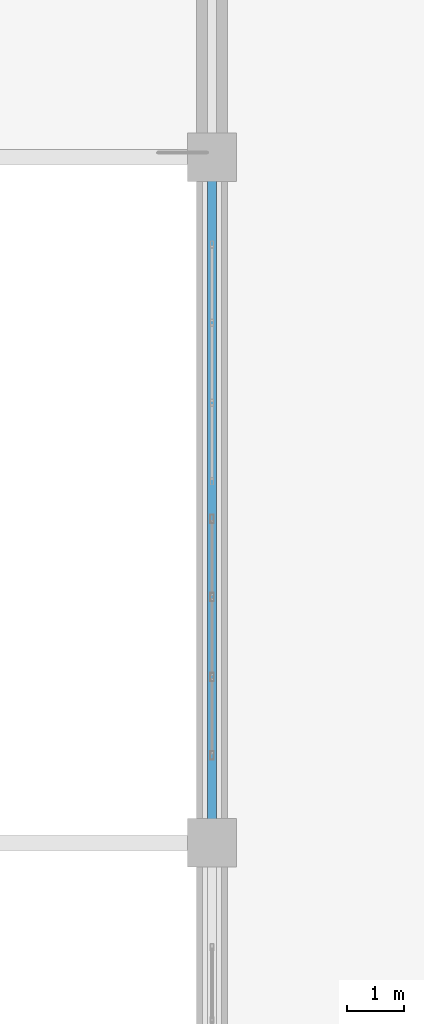
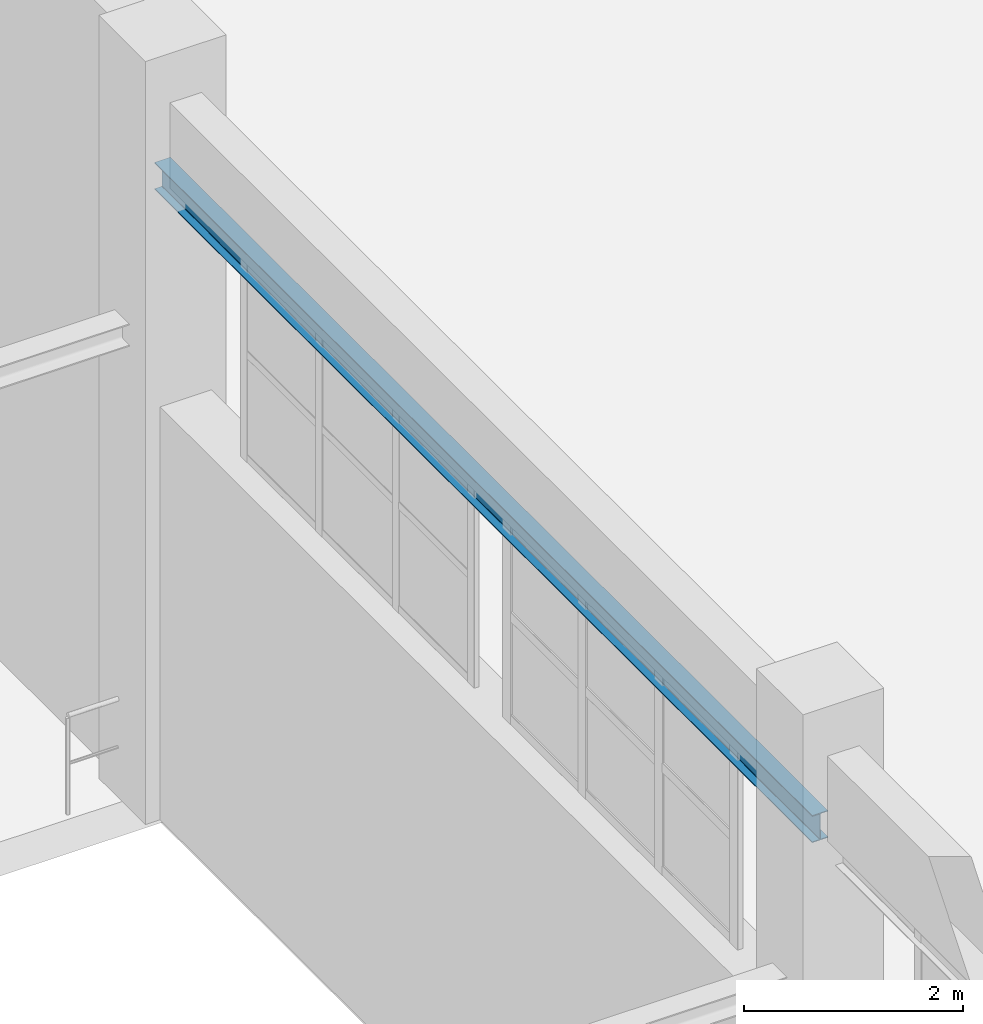
# One storey, part 42 of 97: 1 beam.
"""IFC4 building model written with IfcOpenShell, lengths in metres."""

import ifcopenshell
import ifcopenshell.guid

model = None  # the IFC model being written
_history = None  # IfcOwnerHistory: only IFC2X3 demands one
_inside = {}  # id of a spatial element -> (the spatial element, [elements in it])
_under = {}  # id of a project, library or spatial element -> (it, [spatial elements below it])
_declared = {}  # id of a project -> (the project, [libraries it declares])
_typed = {}  # id of a type object -> (the type object, [elements of that type])
_made_of = {}  # id of a material, layer set ... -> (it, [elements and type objects made of it])


def new_model(schema):
    """Start an empty IFC model of exactly this schema.

    Asked for "IFC4X3", IfcOpenShell would pick the latest addendum, in which some entities
    have other attributes; the version numbers below select the first issue.
    IFC2X3 requires an IfcOwnerHistory on every rooted entity: one is made here for all.
    """
    global model, _history
    if schema == "IFC4X3":
        model = ifcopenshell.file(schema_version=(4, 3, 0, 0))
    else:
        model = ifcopenshell.file(schema=schema)
    _inside.clear()
    _under.clear()
    _declared.clear()
    _typed.clear()
    _made_of.clear()
    _history = None
    if model.schema == "IFC2X3":
        org = make("IfcOrganization", Name="unknown")
        user = make(
            "IfcPersonAndOrganization",
            ThePerson=make("IfcPerson", FamilyName="unknown"),
            TheOrganization=org,
        )
        app = make(
            "IfcApplication",
            ApplicationDeveloper=org,
            Version="unknown",
            ApplicationFullName="unknown",
            ApplicationIdentifier="unknown",
        )
        _history = make(
            "IfcOwnerHistory",
            OwningUser=user,
            OwningApplication=app,
            ChangeAction="ADDED",
            CreationDate=0,
        )
    return model


def make(cls, **values):
    """One entity of the class cls with the attributes given. An attribute that is None is left unset."""
    return model.create_entity(
        cls, **{name: value for name, value in values.items() if value is not None}
    )


def rooted(cls, **values):
    """An entity with a GlobalId (a new one), such as an element, a storey or a relation."""
    return make(cls, GlobalId=ifcopenshell.guid.new(), OwnerHistory=_history, **values)


def si_unit(unit_type, name, prefix=None):
    """IfcSIUnit, for example si_unit("LENGTHUNIT", "METRE", prefix="MILLI")."""
    return make("IfcSIUnit", UnitType=unit_type, Prefix=prefix, Name=name)


def derived_unit(unit_type, elements):
    """IfcDerivedUnit: a product of units, each with its exponent."""
    return make(
        "IfcDerivedUnit",
        Elements=[
            make("IfcDerivedUnitElement", Unit=unit, Exponent=power)
            for unit, power in elements
        ],
        UnitType=unit_type,
    )


def assignment(units):
    """IfcUnitAssignment: the units of a project."""
    return None if units is None else make("IfcUnitAssignment", Units=units)


def point(xyz):
    """IfcCartesianPoint."""
    return None if xyz is None else make("IfcCartesianPoint", Coordinates=xyz)


def direction(xyz):
    """IfcDirection."""
    return None if xyz is None else make("IfcDirection", DirectionRatios=xyz)


def frame(location, z_axis=None, x_axis=None):
    """IfcAxis2Placement3D, a coordinate frame: its origin and axes. An axis left out is left unset."""
    return make(
        "IfcAxis2Placement3D",
        Location=point(location),
        Axis=direction(z_axis),
        RefDirection=direction(x_axis),
    )


def frame_2d(location, x_axis=None):
    """IfcAxis2Placement2D, a coordinate frame in the plane: its origin and x axis."""
    return make(
        "IfcAxis2Placement2D", Location=point(location), RefDirection=direction(x_axis)
    )


def origin():
    """The frame at (0, 0, 0) with its axes left unset."""
    return frame((0.0, 0.0, 0.0))


def origin_2d():
    """The frame at (0, 0) in the plane with its x axis left unset."""
    return frame_2d((0.0, 0.0))


def place(relative_to, where):
    """IfcLocalPlacement: puts the frame where relative to a parent placement (None: the world)."""
    return make(
        "IfcLocalPlacement", PlacementRelTo=relative_to, RelativePlacement=where
    )


def context(
    kind, dimensions, precision=None, world=None, true_north=None, identifier=None
):
    """IfcGeometricRepresentationContext, for example the 3D "Model" context."""
    return make(
        "IfcGeometricRepresentationContext",
        ContextIdentifier=identifier,
        ContextType=kind,
        CoordinateSpaceDimension=dimensions,
        Precision=precision,
        WorldCoordinateSystem=world,
        TrueNorth=true_north,
    )


def subcontext(parent, identifier, kind, view, scale=None):
    """IfcGeometricRepresentationSubContext, for example "Body" below "Model"."""
    return make(
        "IfcGeometricRepresentationSubContext",
        ContextIdentifier=identifier,
        ContextType=kind,
        ParentContext=parent,
        TargetScale=scale,
        TargetView=view,
    )


def project(units=None, contexts=None):
    """IfcProject with its units and contexts."""
    return rooted(
        "IfcProject",
        Name="project",
        RepresentationContexts=contexts,
        UnitsInContext=assignment(units),
    )


def spatial(cls, under=None, at=None, **own):
    """A site, building, storey or space (cls), placed at a placement, below another one or the project."""
    s = rooted(cls, ObjectPlacement=at, **own)
    if under is not None:
        _under.setdefault(under.id(), (under, []))[1].append(s)
    return s


def profile(cls, at=None, kind="AREA", **sizes):
    """A parametric profile (cls). Its sizes go by their IFC names, for example OverallWidth=200.0."""
    return make(cls, ProfileType=kind, Position=at, **sizes)


def i_section(**sizes):
    """IfcIShapeProfileDef."""
    return profile("IfcIShapeProfileDef", **sizes)


def extrude(swept, where, along, depth):
    """IfcExtrudedAreaSolid: the profile swept, set in the frame where, extruded along a direction by depth."""
    return make(
        "IfcExtrudedAreaSolid",
        SweptArea=swept,
        Position=where,
        ExtrudedDirection=direction(along),
        Depth=depth,
    )


def shape(context_of_items, identifier, shape_type, items):
    """IfcShapeRepresentation: the items that make up one representation, for example the "Body"."""
    return make(
        "IfcShapeRepresentation",
        ContextOfItems=context_of_items,
        RepresentationIdentifier=identifier,
        RepresentationType=shape_type,
        Items=items,
    )


def material(Name=None, Category=None):
    """IfcMaterial."""
    return make("IfcMaterial", Name=Name, Category=Category)


def material_profile(
    of_material, cross_section, Name=None, Category=None, Priority=None
):
    """IfcMaterialProfile: a cross section and its material."""
    return make(
        "IfcMaterialProfile",
        Name=Name,
        Material=of_material,
        Profile=cross_section,
        Priority=Priority,
        Category=Category,
    )


def profile_set(profiles, Name=None, composite=None):
    """IfcMaterialProfileSet."""
    return make(
        "IfcMaterialProfileSet",
        Name=Name,
        MaterialProfiles=profiles,
        CompositeProfile=composite,
    )


def made_of(thing, what):
    """Note that an element or type object is made of a material, layer set ...; save() writes the relation."""
    if what is not None:
        _made_of.setdefault(what.id(), (what, []))[1].append(thing)
    return thing


def type_object(cls, material=None, **own):
    """A type object (cls), such as IfcWallType, which elements share."""
    return made_of(rooted(cls, **own), material)


def element(
    cls,
    number,
    at=None,
    inside=None,
    cuts=None,
    type_object=None,
    material=None,
    context=None,
    identifier="Body",
    shape_type=None,
    held_by="IfcProductDefinitionShape",
    body=None,
    shapes=None,
    **own,
):
    """One element of the class cls, such as IfcWall. Its Tag is "e" and its number.

    at: its placement. inside: the storey or other place that contains it. cuts: it is an
    opening in that element (IfcRelVoidsElement). A single representation is given by context,
    identifier, shape_type and body (its items); several are given by shapes. held_by: the class
    of the entity that holds the representations. save() writes the other relations.
    """
    e = rooted(cls, Tag="e%d" % number, ObjectPlacement=at, **own)
    if body is not None:
        shapes = [shape(context, identifier, shape_type, body)]
    if shapes is not None:
        e.Representation = make(held_by, Representations=shapes)
    if inside is not None:
        _inside.setdefault(inside.id(), (inside, []))[1].append(e)
    if cuts is not None:
        rooted(
            "IfcRelVoidsElement", RelatingBuildingElement=cuts, RelatedOpeningElement=e
        )
    if type_object is not None:
        _typed.setdefault(type_object.id(), (type_object, []))[1].append(e)
    return made_of(e, material)


def aggregate(whole, parts):
    """IfcRelAggregates: a whole, such as a stair, and the parts it consists of."""
    return rooted("IfcRelAggregates", RelatingObject=whole, RelatedObjects=parts)


def save(model, path):
    """Write the relations noted so far, then the file.

    IfcRelAggregates (storeys below a building ...), IfcRelContainedInSpatialStructure (elements
    in a storey), IfcRelDefinesByType, IfcRelAssociatesMaterial and IfcRelDeclares: one each for
    every whole, place, type object, material and project.
    """
    for whole, parts in _under.values():
        aggregate(whole, parts)
    for where, things in _inside.values():
        rooted(
            "IfcRelContainedInSpatialStructure",
            RelatedElements=things,
            RelatingStructure=where,
        )
    for kind, things in _typed.values():
        rooted("IfcRelDefinesByType", RelatedObjects=things, RelatingType=kind)
    for what, things in _made_of.values():
        rooted("IfcRelAssociatesMaterial", RelatedObjects=things, RelatingMaterial=what)
    for by, libraries in _declared.values():
        rooted("IfcRelDeclares", RelatingContext=by, RelatedDefinitions=libraries)
    model.write(path)


model = new_model("IFC4")

# Units and contexts
model_context = context("Model", 3, precision=1e-05, world=origin(), true_north=direction((0.0, 1.0)))
body_context = subcontext(model_context, "Body", "Model", "MODEL_VIEW")
ifc_project = project(units=[si_unit("LENGTHUNIT", "METRE"), si_unit("AREAUNIT", "SQUARE_METRE"), si_unit("VOLUMEUNIT", "CUBIC_METRE"), si_unit("PLANEANGLEUNIT", "RADIAN"), si_unit("MASSUNIT", "GRAM", prefix="KILO"), derived_unit("THERMALTRANSMITTANCEUNIT", [(si_unit("POWERUNIT", "WATT"), 1), (si_unit("LENGTHUNIT", "METRE"), -2), (si_unit("THERMODYNAMICTEMPERATUREUNIT", "KELVIN"), -1)])], contexts=[model_context])

# Site, building, storey
site_placement = place(None, origin())
site = spatial("IfcSite", under=ifc_project, at=site_placement, CompositionType="ELEMENT")
building_placement = place(site_placement, origin())
building = spatial("IfcBuilding", under=site, at=building_placement, Name="Almenara Railside Exhibition Hall", CompositionType="ELEMENT")
storey_placement = place(building_placement, frame((0.0, 0.0, 10.800048828125)))
storey = spatial("IfcBuildingStorey", under=building, at=storey_placement, Name="L02", CompositionType="ELEMENT", Elevation=10.800048828125)

# Beam
ifc_material = material(Name="Structural steel S355JR", Category="steel")
ifc_material_profile = material_profile(ifc_material, i_section(OverallWidth=0.1650390625, OverallDepth=0.303466796875, WebThickness=0.006103515625, FlangeThickness=0.01025390625, FilletRadius=0.0087890625, at=origin_2d()), Name="UB 305x165x40")
ifc_profile_set = profile_set([ifc_material_profile], Name="Structural steel S355JR")
beam_type = type_object("IfcBeamType", Name="Steel Canopy Edge Spandrel UB 305x165x40 S355JR", PredefinedType="SPANDREL", material=ifc_profile_set)
beam_placement = place(storey_placement, frame((12.0, 96.0, 6.84814453125), z_axis=(0.0, 1.0, 0.0), x_axis=(-1.0, 0.0, 0.0)))
element("IfcBeam", 1, at=beam_placement, inside=storey, type_object=beam_type, Name="BM-CRNLNT-V1-12-96", PredefinedType="SPANDREL", context=body_context, shape_type="SweptSolid", body=[
    extrude(i_section(OverallWidth=0.1650390625, OverallDepth=0.303466796875, WebThickness=0.006103515625, FlangeThickness=0.01025390625, FilletRadius=0.0087890625, at=origin_2d()), origin(), (0.0, 0.0, 1.0), 12.0),
])

save(model, "model.ifc")
